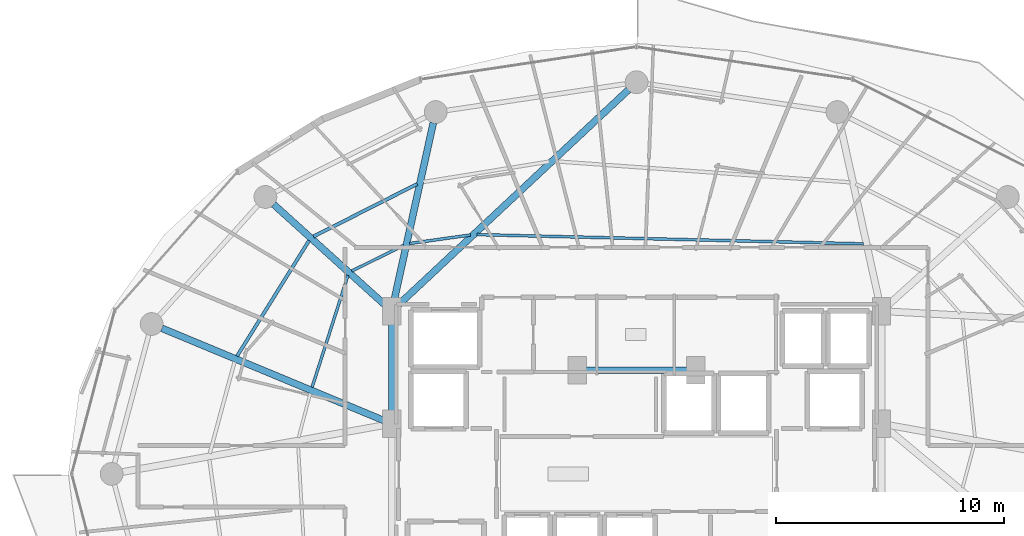
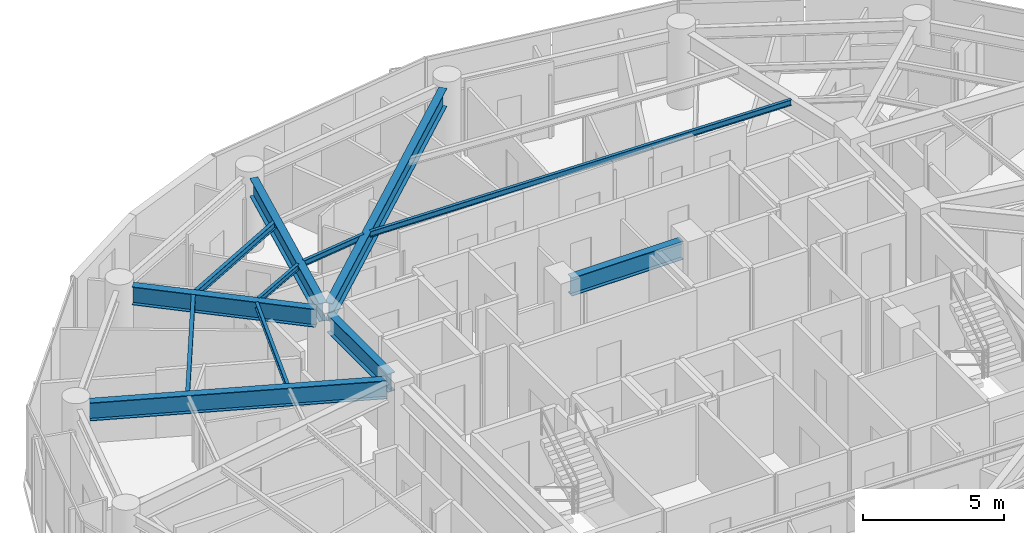
# One storey, part 9 of 28: 12 beams.
"""IFC4 building model written with IfcOpenShell, lengths in metres."""

from ifc_helpers import new_model, si_unit, direction, frame, origin, origin_2d, place, context, subcontext, project, spatial, i_section, extrude, material, material_profile, profile_set, type_object, element, save


model = new_model("IFC4")

# Units and contexts
model_context = context("Model", 3, precision=1e-05, world=origin(), true_north=direction((0.0, 1.0)))
body_context = subcontext(model_context, "Body", "Model", "MODEL_VIEW")
ifc_project = project(units=[si_unit("LENGTHUNIT", "METRE"), si_unit("AREAUNIT", "SQUARE_METRE"), si_unit("VOLUMEUNIT", "CUBIC_METRE"), si_unit("PLANEANGLEUNIT", "RADIAN"), si_unit("MASSUNIT", "GRAM", prefix="KILO")], contexts=[model_context])

# Site, building, storey
site_placement = place(None, origin())
site = spatial("IfcSite", under=ifc_project, at=site_placement, CompositionType="ELEMENT")
building_placement = place(site_placement, origin())
building = spatial("IfcBuilding", under=site, at=building_placement, Name="Vorneva Point Tower", CompositionType="ELEMENT")
storey_placement = place(building_placement, frame((0.0, 0.0, 139.60009765625)))
storey = spatial("IfcBuildingStorey", under=building, at=storey_placement, Name="L37", CompositionType="ELEMENT", Elevation=139.60009765625)

# Beams
ifc_material = material(Name="Steel S355", Category="steel")
ifc_material_profile_1 = material_profile(ifc_material, i_section(OverallWidth=0.300048828125, OverallDepth=0.7880859375, WebThickness=0.014404296875, FlangeThickness=0.02197265625, at=origin_2d()), Name="80Sh1")
ifc_profile_set_1 = profile_set([ifc_material_profile_1], Name="Steel S355")
beam_type_1 = type_object("IfcBeamType", Name="BM-GRD-80Sh1", PredefinedType="USERDEFINED", material=ifc_profile_set_1)
beam_1_placement = place(storey_placement, frame((37.6435546875, 42.86669921875, 2.845947265625), z_axis=(-0.730490907119, -0.682922422107, 0.0), x_axis=(0.682922422107, -0.730490907119, 0.0)))
element("IfcBeam", 1, at=beam_1_placement, inside=storey, type_object=beam_type_1, Name="L37 Radial Primary Girder 05", ObjectType="GIRDER", PredefinedType="USERDEFINED", context=body_context, shape_type="SweptSolid", body=[
    extrude(i_section(OverallWidth=0.300048828125, OverallDepth=0.7880859375, WebThickness=0.014404296875, FlangeThickness=0.02197265625, at=origin_2d()), origin(), (0.0, 0.0, 1.0), 13.88818359375),
])
beam_2_placement = place(storey_placement, frame((29.073974609375, 41.414306640625, 2.845947265625), z_axis=(-0.215520500859, -0.976499315775, 0.0), x_axis=(0.976499315775, -0.215520500859, 0.0)))
element("IfcBeam", 2, at=beam_2_placement, inside=storey, type_object=beam_type_1, Name="L37 Radial Primary Girder 06", ObjectType="GIRDER", PredefinedType="USERDEFINED", context=body_context, shape_type="SweptSolid", body=[
    extrude(i_section(OverallWidth=0.300048828125, OverallDepth=0.7880859375, WebThickness=0.014404296875, FlangeThickness=0.02197265625, at=origin_2d()), origin(), (0.0, 0.0, 1.0), 8.123291015625),
])
beam_3_placement = place(storey_placement, frame((22.063232421875, 37.835205078125, 2.845947265625), z_axis=(0.742084379637, -0.670306477292, 0.0), x_axis=(0.670306477292, 0.742084379637, 0.0)))
element("IfcBeam", 3, at=beam_3_placement, inside=storey, type_object=beam_type_1, Name="L37 Radial Primary Girder 07", ObjectType="GIRDER", PredefinedType="USERDEFINED", context=body_context, shape_type="SweptSolid", body=[
    extrude(i_section(OverallWidth=0.300048828125, OverallDepth=0.7880859375, WebThickness=0.014404296875, FlangeThickness=0.02197265625, at=origin_2d()), origin(), (0.0, 0.0, 1.0), 6.649658203125),
])
beam_4_placement = place(storey_placement, frame((17.1552734375, 32.39501953125, 2.845947265625), z_axis=(0.923440676596, -0.383741210723, 0.0), x_axis=(0.383741210723, 0.923440676596, 0.0)))
element("IfcBeam", 4, at=beam_4_placement, inside=storey, type_object=beam_type_1, Name="L37 Radial Primary Girder 08", ObjectType="GIRDER", PredefinedType="USERDEFINED", context=body_context, shape_type="SweptSolid", body=[
    extrude(i_section(OverallWidth=0.300048828125, OverallDepth=0.7880859375, WebThickness=0.014404296875, FlangeThickness=0.02197265625, at=origin_2d()), origin(), (0.0, 0.0, 1.0), 10.591552734375),
])
beam_5_placement = place(storey_placement, frame((27.25, 28.52001953125, 2.845947265625), z_axis=(0.0, 1.0, 0.0), x_axis=(-1.0, 0.0, 0.0)))
element("IfcBeam", 5, at=beam_5_placement, inside=storey, type_object=beam_type_1, Name="L37 Core Tie Girder CT2", ObjectType="GIRDER", PredefinedType="USERDEFINED", context=body_context, shape_type="SweptSolid", body=[
    extrude(i_section(OverallWidth=0.300048828125, OverallDepth=0.7880859375, WebThickness=0.014404296875, FlangeThickness=0.02197265625, at=origin_2d()), origin(), (0.0, 0.0, 1.0), 4.31005859375),
])
beam_6_placement = place(storey_placement, frame((35.719970703125, 30.550048828125, 2.845947265625), z_axis=(1.0, 0.0, 0.0), x_axis=(0.0, 1.0, 0.0)))
element("IfcBeam", 6, at=beam_6_placement, inside=storey, type_object=beam_type_1, Name="L37 Core Tie Girder CT8", ObjectType="GIRDER", PredefinedType="USERDEFINED", context=body_context, shape_type="SweptSolid", body=[
    extrude(i_section(OverallWidth=0.300048828125, OverallDepth=0.7880859375, WebThickness=0.014404296875, FlangeThickness=0.02197265625, at=origin_2d()), origin(), (0.0, 0.0, 1.0), 4.56005859375),
])
ifc_material_profile_2 = material_profile(ifc_material, i_section(OverallWidth=0.1240234375, OverallDepth=0.248046875, WebThickness=0.0048828125, FlangeThickness=0.008056640625, at=origin_2d()), Name="25B1")
ifc_profile_set_2 = profile_set([ifc_material_profile_2], Name="Steel S355")
beam_type_2 = type_object("IfcBeamType", Name="BM-JST-25B1", PredefinedType="JOIST", material=ifc_profile_set_2)
beam_7_placement = place(storey_placement, frame((47.9609375, 36.102783203125, 3.115966796875), z_axis=(-0.99971415121, 0.023908489487, 0.0), x_axis=(-0.023908489487, -0.99971415121, 0.0)))
element("IfcBeam", 7, at=beam_7_placement, inside=storey, type_object=beam_type_2, Name="L37 Secondary Floor Beam 2.04", PredefinedType="JOIST", context=body_context, shape_type="SweptSolid", body=[
    extrude(i_section(OverallWidth=0.1240234375, OverallDepth=0.248046875, WebThickness=0.0048828125, FlangeThickness=0.008056640625, at=origin_2d()), origin(), (0.0, 0.0, 1.0), 16.981689453125),
])
beam_8_placement = place(storey_placement, frame((30.709716796875, 36.492919921875, 3.115966796875), z_axis=(-0.990345473583, -0.138621221154, 0.0), x_axis=(0.138621221154, -0.990345473583, 0.0)))
element("IfcBeam", 8, at=beam_8_placement, inside=storey, type_object=beam_type_2, Name="L37 Secondary Floor Beam 2.05", PredefinedType="JOIST", context=body_context, shape_type="SweptSolid", body=[
    extrude(i_section(OverallWidth=0.1240234375, OverallDepth=0.248046875, WebThickness=0.0048828125, FlangeThickness=0.008056640625, at=origin_2d()), origin(), (0.0, 0.0, 1.0), 2.6982421875),
])
beam_9_placement = place(storey_placement, frame((27.77734375, 36.03857421875, 3.115966796875), z_axis=(-0.896525372152, -0.442992389425, 0.0), x_axis=(0.442992389425, -0.896525372152, 0.0)))
element("IfcBeam", 9, at=beam_9_placement, inside=storey, type_object=beam_type_2, Name="L37 Secondary Floor Beam 2.06", PredefinedType="JOIST", context=body_context, shape_type="SweptSolid", body=[
    extrude(i_section(OverallWidth=0.1240234375, OverallDepth=0.248046875, WebThickness=0.0048828125, FlangeThickness=0.008056640625, at=origin_2d()), origin(), (0.0, 0.0, 1.0), 2.5478515625),
])
beam_10_placement = place(storey_placement, frame((25.3271484375, 34.71728515625, 3.115966796875), z_axis=(-0.305506866133, -0.952189873263, 0.0), x_axis=(0.952189873263, -0.305506866133, 0.0)))
element("IfcBeam", 10, at=beam_10_placement, inside=storey, type_object=beam_type_2, Name="L37 Secondary Floor Beam 2.07", PredefinedType="JOIST", context=body_context, shape_type="SweptSolid", body=[
    extrude(i_section(OverallWidth=0.1240234375, OverallDepth=0.248046875, WebThickness=0.0048828125, FlangeThickness=0.008056640625, at=origin_2d()), origin(), (0.0, 0.0, 1.0), 5.160888671875),
])
ifc_material_profile_3 = material_profile(ifc_material, i_section(OverallWidth=0.14892578125, OverallDepth=0.298095703125, WebThickness=0.005615234375, FlangeThickness=0.008056640625, at=origin_2d()), Name="30B1")
ifc_profile_set_3 = profile_set([ifc_material_profile_3], Name="Steel S355")
beam_type_3 = type_object("IfcBeamType", Name="BM-JST-30B1", PredefinedType="JOIST", material=ifc_profile_set_3)
beam_11_placement = place(storey_placement, frame((28.373046875, 38.734130859375, 3.0908203125), z_axis=(-0.892189333363, -0.451661591717, 0.0), x_axis=(0.451661591717, -0.892189333363, 0.0)))
element("IfcBeam", 11, at=beam_11_placement, inside=storey, type_object=beam_type_3, Name="L37 Secondary Floor Beam 1.06", PredefinedType="JOIST", context=body_context, shape_type="SweptSolid", body=[
    extrude(i_section(OverallWidth=0.14892578125, OverallDepth=0.298095703125, WebThickness=0.005615234375, FlangeThickness=0.008056640625, at=origin_2d()), origin(), (0.0, 0.0, 1.0), 5.109130859375),
])
beam_12_placement = place(storey_placement, frame((23.61865234375, 36.2470703125, 3.0908203125), z_axis=(-0.52882428102, -0.848731335467, 0.0), x_axis=(0.848731335467, -0.52882428102, 0.0)))
element("IfcBeam", 12, at=beam_12_placement, inside=storey, type_object=beam_type_3, Name="L37 Secondary Floor Beam 1.07", PredefinedType="JOIST", context=body_context, shape_type="SweptSolid", body=[
    extrude(i_section(OverallWidth=0.14892578125, OverallDepth=0.298095703125, WebThickness=0.005615234375, FlangeThickness=0.008056640625, at=origin_2d()), origin(), (0.0, 0.0, 1.0), 5.98095703125),
])

save(model, "model.ifc")
